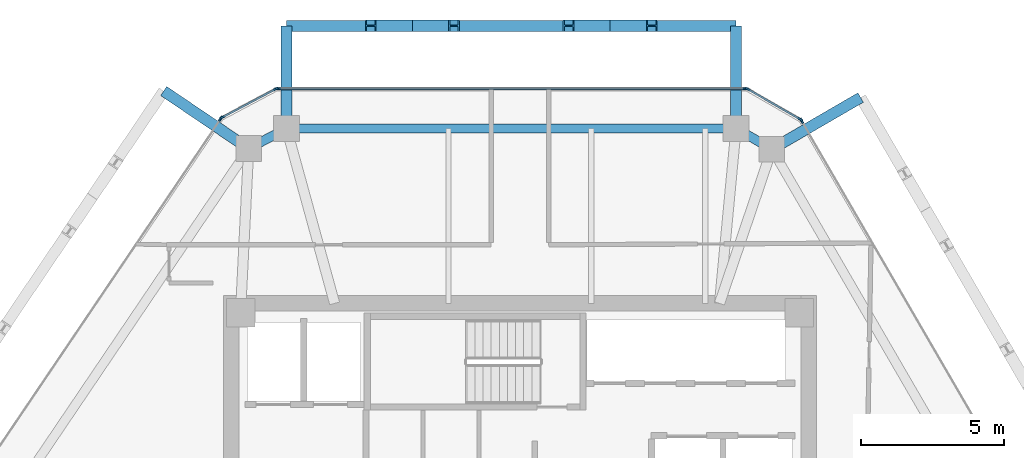
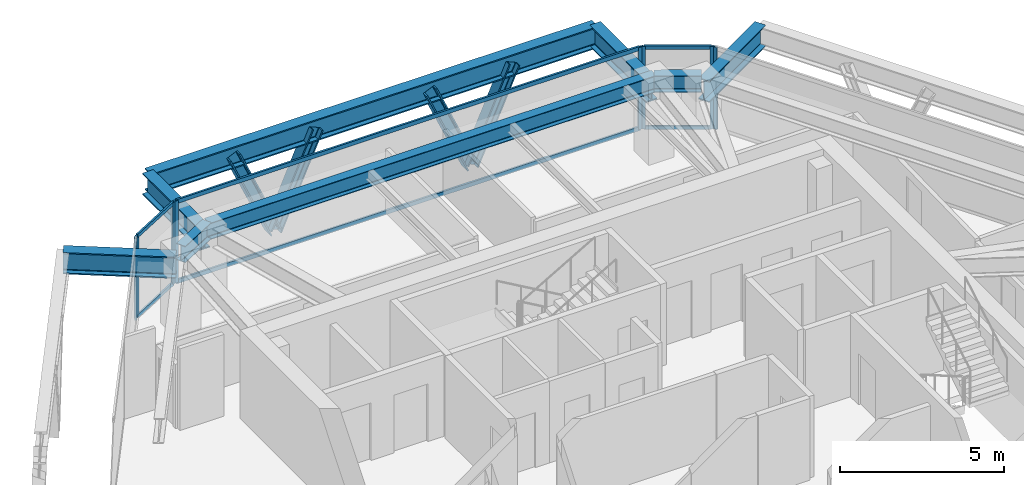
# One storey, part 6 of 11: 18 members, 8 beams, 5 elements without a shape of their own.
"""IFC4 building model written with IfcOpenShell, lengths in metres."""

from ifc_helpers import new_model, si_unit, direction, frame, origin, origin_2d, place, context, subcontext, project, spatial, rectangle, i_section, extrude, source, transform, mapped, material, layer, layer_set, material_profile, profile_set, type_object, type_shapes, element, aggregate, save


model = new_model("IFC4")

# Units and contexts
model_context = context("Model", 3, precision=1e-05, world=origin(), true_north=direction((0.0, 1.0)))
body_context = subcontext(model_context, "Body", "Model", "MODEL_VIEW")
ifc_project = project(units=[si_unit("LENGTHUNIT", "METRE"), si_unit("AREAUNIT", "SQUARE_METRE"), si_unit("VOLUMEUNIT", "CUBIC_METRE"), si_unit("PLANEANGLEUNIT", "RADIAN"), si_unit("MASSUNIT", "GRAM", prefix="KILO")], contexts=[model_context])

# Site, building, storey
site_placement = place(None, origin())
site = spatial("IfcSite", under=ifc_project, at=site_placement, CompositionType="ELEMENT")
building_placement = place(site_placement, origin())
building = spatial("IfcBuilding", under=site, at=building_placement, Name="Durnholm Broadcast Tower", CompositionType="ELEMENT")
storey_placement = place(building_placement, frame((0.0, 0.0, 218.300048828125)))
storey = spatial("IfcBuildingStorey", under=building, at=storey_placement, Name="L60", CompositionType="ELEMENT", Elevation=218.300048828125)

# Beams
ifc_material_1 = material(Name="Steel ASTM A992 Grade 50", Category="steel")
ifc_material_profile_1 = material_profile(ifc_material_1, i_section(OverallWidth=0.385009765625, OverallDepth=0.802978515625, WebThickness=0.023681640625, FlangeThickness=0.0419921875, FilletRadius=0.032958984375, at=origin_2d()), Name="W30X261")
ifc_profile_set_1 = profile_set([ifc_material_profile_1], Name="Steel ASTM A992 Grade 50")
beam_type_1 = type_object("IfcBeamType", Name="BM-EXO-TIE", PredefinedType="USERDEFINED", material=ifc_profile_set_1)
shared_shape_1 = source(origin(), body_context, "Body", "SweptSolid", [
    extrude(i_section(OverallWidth=0.385009765625, OverallDepth=0.802978515625, WebThickness=0.023681640625, FlangeThickness=0.0419921875, FilletRadius=0.032958984375, at=origin_2d()), origin(), (0.0, 0.0, 1.0), 3.4560546875),
])
for number, where, z_axis, x_axis, name in (
    (1, (7.57958984375, 14.406005859375, 2.30859375), (0.0, 1.0, 0.0), (-1.0, 0.0, 0.0), "L60 exoskeleton stand-off tie bracket F4.1"),
    (2, (-8.187744140625, 14.406005859375, 2.30859375), (0.0, 1.0, 0.0), (-1.0, 0.0, 0.0), "L60 exoskeleton stand-off tie bracket F4.2"),
):
    element("IfcBeam", number, at=place(storey_placement, frame(where, z_axis=z_axis, x_axis=x_axis)), inside=storey, type_object=beam_type_1, Name=name, ObjectType="GIRDER", PredefinedType="USERDEFINED", context=body_context, shape_type="MappedRepresentation", body=[
        mapped(shared_shape_1, transform((0.0, 0.0, 0.0), x_axis=(1.0, 0.0, 0.0), y_axis=(0.0, 1.0, 0.0), z_axis=(0.0, 0.0, 1.0), scale=1.0)),
    ])
shared_shape_2 = source(origin(), body_context, "Body", "SweptSolid", [
    extrude(i_section(OverallWidth=0.385009765625, OverallDepth=0.802978515625, WebThickness=0.023681640625, FlangeThickness=0.0419921875, FilletRadius=0.032958984375, at=origin_2d()), origin(), (0.0, 0.0, 1.0), 3.455810546875),
])
for number, where, z_axis, x_axis, name in (
    (3, (8.9619140625, 13.610107421875, 2.30859375), (0.864906682814, 0.501932694715, 0.0), (-0.501932694715, 0.864906682814, 0.0), "L60 exoskeleton stand-off tie bracket F3.2"),
    (4, (-9.63427734375, 13.637939453125, 2.30859375), (-0.828446342252, 0.560068440469, 0.0), (-0.560068440469, -0.828446342252, 0.0), "L60 exoskeleton stand-off tie bracket F5.1"),
):
    element("IfcBeam", number, at=place(storey_placement, frame(where, z_axis=z_axis, x_axis=x_axis)), inside=storey, type_object=beam_type_1, Name=name, ObjectType="GIRDER", PredefinedType="USERDEFINED", context=body_context, shape_type="MappedRepresentation", body=[
        mapped(shared_shape_2, transform((0.0, 0.0, 0.0), x_axis=(1.0, 0.0, 0.0), y_axis=(0.0, 1.0, 0.0), z_axis=(0.0, 0.0, 1.0), scale=1.0)),
    ])
ifc_material_profile_2 = material_profile(ifc_material_1, i_section(OverallWidth=0.3251953125, OverallDepth=0.6162109375, WebThickness=0.013916015625, FlangeThickness=0.021484375, FilletRadius=0.02783203125, at=origin_2d()), Name="W24X117")
ifc_profile_set_2 = profile_set([ifc_material_profile_2], Name="Steel ASTM A992 Grade 50")
beam_type_2 = type_object("IfcBeamType", Name="STL-SP-W24X117", PredefinedType="SPANDREL", material=ifc_profile_set_2)
shared_shape_3 = source(origin(), body_context, "Body", "SweptSolid", [
    extrude(i_section(OverallWidth=0.3251953125, OverallDepth=0.6162109375, WebThickness=0.013916015625, FlangeThickness=0.021484375, FilletRadius=0.02783203125, at=origin_2d()), origin(), (0.0, 0.0, 1.0), 1.502685546875),
])
beam_1_placement = place(storey_placement, frame((-9.514892578125, 13.557373046875, 2.73681640625), z_axis=(0.883241909673, 0.468917614296, 0.0), x_axis=(-0.468917614296, 0.883241909673, 0.0)))
element("IfcBeam", 5, at=beam_1_placement, inside=storey, type_object=beam_type_2, Name="L60 perimeter spandrel girder 04", PredefinedType="SPANDREL", context=body_context, shape_type="MappedRepresentation", body=[
    mapped(shared_shape_3, transform((0.0, 0.0, 0.0), x_axis=(1.0, 0.0, 0.0), y_axis=(0.0, 1.0, 0.0), z_axis=(0.0, 0.0, 1.0), scale=1.0)),
])
shared_shape_4 = source(origin(), body_context, "Body", "SweptSolid", [
    extrude(i_section(OverallWidth=0.3251953125, OverallDepth=0.6162109375, WebThickness=0.013916015625, FlangeThickness=0.021484375, FilletRadius=0.02783203125, at=origin_2d()), origin(), (0.0, 0.0, 1.0), 15.767333984375),
])
beam_2_placement = place(storey_placement, frame((-8.187744140625, 14.261962890625, 2.73681640625), z_axis=(1.0, 0.0, 0.0), x_axis=(0.0, 1.0, 0.0)))
element("IfcBeam", 6, at=beam_2_placement, inside=storey, type_object=beam_type_2, Name="L60 perimeter spandrel girder 05", PredefinedType="SPANDREL", context=body_context, shape_type="MappedRepresentation", body=[
    mapped(shared_shape_4, transform((0.0, 0.0, 0.0), x_axis=(1.0, 0.0, 0.0), y_axis=(0.0, 1.0, 0.0), z_axis=(0.0, 0.0, 1.0), scale=1.0)),
])
shared_shape_5 = source(origin(), body_context, "Body", "SweptSolid", [
    extrude(i_section(OverallWidth=0.3251953125, OverallDepth=0.6162109375, WebThickness=0.013916015625, FlangeThickness=0.021484375, FilletRadius=0.02783203125, at=origin_2d()), origin(), (0.0, 0.0, 1.0), 1.451416015625),
])
type_shapes(beam_type_2, [shared_shape_3, shared_shape_4, shared_shape_5])
beam_3_placement = place(storey_placement, frame((7.57958984375, 14.261962890625, 2.73681640625), z_axis=(0.866571760088, -0.499052486836, 0.0), x_axis=(0.499052486836, 0.866571760088, 0.0)))
element("IfcBeam", 7, at=beam_3_placement, inside=storey, type_object=beam_type_2, Name="L60 perimeter spandrel girder 06", PredefinedType="SPANDREL", context=body_context, shape_type="MappedRepresentation", body=[
    mapped(shared_shape_5, transform((0.0, 0.0, 0.0), x_axis=(1.0, 0.0, 0.0), y_axis=(0.0, 1.0, 0.0), z_axis=(0.0, 0.0, 1.0), scale=1.0)),
])
shared_shape_6 = source(origin(), body_context, "Body", "SweptSolid", [
    extrude(i_section(OverallWidth=0.385009765625, OverallDepth=0.802978515625, WebThickness=0.023681640625, FlangeThickness=0.0419921875, FilletRadius=0.032958984375, at=origin_2d()), origin(), (0.0, 0.0, 1.0), 15.767333984375),
])
type_shapes(beam_type_1, [shared_shape_1, shared_shape_2, shared_shape_6])
beam_4_placement = place(storey_placement, frame((7.57958984375, 17.862060546875, 2.30859375), z_axis=(-1.0, 0.0, 0.0), x_axis=(0.0, -1.0, 0.0)))
element("IfcBeam", 8, at=beam_4_placement, inside=storey, type_object=beam_type_1, Name="L60 exoskeleton collector spandrel F4", PredefinedType="SPANDREL", context=body_context, shape_type="MappedRepresentation", body=[
    mapped(shared_shape_6, transform((0.0, 0.0, 0.0), x_axis=(1.0, 0.0, 0.0), y_axis=(0.0, 1.0, 0.0), z_axis=(0.0, 0.0, 1.0), scale=1.0)),
])

# Members
ifc_material_2 = material(Name="Steel ASTM A913 Grade 65", Category="steel")
ifc_material_profile_3 = material_profile(ifc_material_2, i_section(OverallWidth=0.40625, OverallDepth=0.416015625, WebThickness=0.02978515625, FlangeThickness=0.048095703125, FilletRadius=0.030517578125, at=origin_2d()), Name="W14X257")
ifc_profile_set_3 = profile_set([ifc_material_profile_3], Name="Steel ASTM A913 Grade 65")
member_type_1 = type_object("IfcMemberType", Name="STL-DG-W14X257", PredefinedType="BRACE", material=ifc_profile_set_3)
shared_shape_7 = source(origin(), body_context, "Body", "SweptSolid", [
    extrude(i_section(OverallWidth=0.40625, OverallDepth=0.416015625, WebThickness=0.02978515625, FlangeThickness=0.048095703125, FilletRadius=0.030517578125, at=origin_2d()), origin(), (0.0, 0.0, 1.0), 3.60791015625),
])
for number, where, z_axis, x_axis, name in (
    (9, (3.164794921875, 17.862060546875, -0.991455078125), (0.404184914295, 0.0, 0.914677295584), (0.0, 1.0, 0.0), "L60 stand-off diagrid brace F4.D1.1"),
    (10, (3.164794921875, 17.862060546875, -0.991455078125), (-0.404184914295, 0.0, 0.914677295584), (0.0, -1.0, 0.0), "L60 stand-off diagrid brace F4.D1.2"),
    (11, (-3.772705078125, 17.862060546875, -0.991455078125), (-0.404184914295, 0.0, 0.914677295584), (0.0, -1.0, 0.0), "L60 stand-off diagrid brace F4.D2.2"),
):
    element("IfcMember", number, at=place(storey_placement, frame(where, z_axis=z_axis, x_axis=x_axis)), inside=storey, type_object=member_type_1, Name=name, PredefinedType="BRACE", context=body_context, shape_type="MappedRepresentation", body=[
        mapped(shared_shape_7, transform((0.0, 0.0, 0.0), x_axis=(1.0, 0.0, 0.0), y_axis=(0.0, 1.0, 0.0), z_axis=(0.0, 0.0, 1.0), scale=1.0)),
    ])
shared_shape_8 = source(origin(), body_context, "Body", "SweptSolid", [
    extrude(i_section(OverallWidth=0.40625, OverallDepth=0.416015625, WebThickness=0.02978515625, FlangeThickness=0.048095703125, FilletRadius=0.030517578125, at=origin_2d()), origin(), (0.0, 0.0, 1.0), 3.607666015625),
])
type_shapes(member_type_1, [shared_shape_7, shared_shape_8])
member_1_placement = place(storey_placement, frame((-3.772705078125, 17.862060546875, -0.991455078125), z_axis=(0.404128298032, 0.0, 0.914702311536), x_axis=(0.0, 1.0, 0.0)))
element("IfcMember", 12, at=member_1_placement, inside=storey, type_object=member_type_1, Name="L60 stand-off diagrid brace F4.D2.1", PredefinedType="BRACE", context=body_context, shape_type="MappedRepresentation", body=[
    mapped(shared_shape_8, transform((0.0, 0.0, 0.0), x_axis=(1.0, 0.0, 0.0), y_axis=(0.0, 1.0, 0.0), z_axis=(0.0, 0.0, 1.0), scale=1.0)),
])

# Curtain wall, members
ifc_material_3 = material(Name="Aluminium and Solar Control IGU", Category="aluminium")
ifc_layer_1 = layer(ifc_material_3, 0.1650390625)
ifc_layer_set_1 = layer_set([ifc_layer_1], Name="Aluminium and Solar Control IGU")
curtain_wall_type_1 = type_object("IfcCurtainWallType", Name="CW-SYS-5", PredefinedType="NOTDEFINED", material=ifc_layer_set_1)
curtain_wall_1_placement = place(storey_placement, origin())
curtain_wall_1 = element("IfcCurtainWall", 13, at=curtain_wall_1_placement, inside=storey, type_object=curtain_wall_type_1, Name="L60 curtain wall CW-CORNER CW-L60-CRN-03", PredefinedType="NOTDEFINED")
ifc_material_4 = material(Name="Aluminium 6063-T6", Category="aluminium")
ifc_material_profile_4 = material_profile(ifc_material_4, rectangle(XDim=0.06494140625, YDim=0.1298828125, at=origin_2d()), Name="CWT65X130")
ifc_profile_set_4 = profile_set([ifc_material_profile_4], Name="Aluminium 6063-T6")
member_type_2 = type_object("IfcMemberType", Name="CW-SYS-5-TRN", PredefinedType="USERDEFINED", material=ifc_profile_set_4)
shared_shape_9 = source(origin(), body_context, "Body", "SweptSolid", [
    extrude(rectangle(XDim=0.06494140625, YDim=0.1298828125, at=origin_2d()), origin(), (0.0, 0.0, 1.0), 2.070068359375),
])
type_shapes(member_type_2, [shared_shape_9])
member_2_placement = place(storey_placement, frame((-10.421875, 14.66064453125, 0.032470703125), z_axis=(0.883164581026, 0.469063239682, 0.0), x_axis=(-0.469063239682, 0.883164581026, 0.0)))
member_2 = element("IfcMember", 14, at=member_2_placement, type_object=member_type_2, Name="CW-CORNER transom 1.1", ObjectType="TRANSOM", PredefinedType="USERDEFINED", context=body_context, shape_type="MappedRepresentation", body=[
    mapped(shared_shape_9, transform((0.0, 0.0, 0.0), x_axis=(1.0, 0.0, 0.0), y_axis=(0.0, 1.0, 0.0), z_axis=(0.0, 0.0, 1.0), scale=1.0)),
])
member_3_placement = place(storey_placement, frame((-10.421875, 14.66064453125, 3.02734375), z_axis=(0.883164581026, 0.469063239682, 0.0), x_axis=(-0.469063239682, 0.883164581026, 0.0)))
member_3 = element("IfcMember", 15, at=member_3_placement, type_object=member_type_2, Name="CW-CORNER transom 1.2", ObjectType="TRANSOM", PredefinedType="USERDEFINED", context=body_context, shape_type="MappedRepresentation", body=[
    mapped(shared_shape_9, transform((0.0, 0.0, 0.0), x_axis=(1.0, 0.0, 0.0), y_axis=(0.0, 1.0, 0.0), z_axis=(0.0, 0.0, 1.0), scale=1.0)),
])

curtain_wall_2_placement = place(storey_placement, origin())
curtain_wall_2 = element("IfcCurtainWall", 16, at=curtain_wall_2_placement, inside=storey, type_object=curtain_wall_type_1, Name="L60 curtain wall CW-CORNER CW-L60-CRN-05", PredefinedType="NOTDEFINED")
member_4_placement = place(storey_placement, frame((8.01025390625, 15.629638671875, 0.032470703125), z_axis=(0.866525076636, -0.499133540809, 0.0), x_axis=(0.499133540809, 0.866525076636, 0.0)))
member_4 = element("IfcMember", 17, at=member_4_placement, type_object=member_type_2, Name="CW-CORNER transom 1.1", ObjectType="TRANSOM", PredefinedType="USERDEFINED", context=body_context, shape_type="MappedRepresentation", body=[
    mapped(shared_shape_9, transform((0.0, 0.0, 0.0), x_axis=(1.0, 0.0, 0.0), y_axis=(0.0, 1.0, 0.0), z_axis=(0.0, 0.0, 1.0), scale=1.0)),
])
member_5_placement = place(storey_placement, frame((8.01025390625, 15.629638671875, 3.02734375), z_axis=(0.866525076636, -0.499133540809, 0.0), x_axis=(0.499133540809, 0.866525076636, 0.0)))
member_5 = element("IfcMember", 18, at=member_5_placement, type_object=member_type_2, Name="CW-CORNER transom 1.2", ObjectType="TRANSOM", PredefinedType="USERDEFINED", context=body_context, shape_type="MappedRepresentation", body=[
    mapped(shared_shape_9, transform((0.0, 0.0, 0.0), x_axis=(1.0, 0.0, 0.0), y_axis=(0.0, 1.0, 0.0), z_axis=(0.0, 0.0, 1.0), scale=1.0)),
])

# Member
ifc_material_profile_5 = material_profile(ifc_material_4, rectangle(XDim=0.06494140625, YDim=0.1650390625, at=origin_2d()), Name="CWM65X165")
ifc_profile_set_5 = profile_set([ifc_material_profile_5], Name="Aluminium 6063-T6")
member_type_3 = type_object("IfcMemberType", Name="CW-SYS-5-MUL", PredefinedType="MULLION", material=ifc_profile_set_5)
shared_shape_10 = source(origin(), body_context, "Body", "SweptSolid", [
    extrude(rectangle(XDim=0.06494140625, YDim=0.1650390625, at=origin_2d()), origin(), (0.0, 0.0, 1.0), 3.06005859375),
])
type_shapes(member_type_3, [shared_shape_10])
member_6_placement = place(storey_placement, frame((-10.45068359375, 14.6455078125, 0.0), z_axis=(0.0, 0.0, 1.0), x_axis=(-0.469006771575, 0.883194569853, 0.0)))
member_6 = element("IfcMember", 19, at=member_6_placement, type_object=member_type_3, Name="CW-CORNER mullion 1", PredefinedType="MULLION", context=body_context, shape_type="MappedRepresentation", body=[
    mapped(shared_shape_10, transform((0.0, 0.0, 0.0), x_axis=(1.0, 0.0, 0.0), y_axis=(0.0, 1.0, 0.0), z_axis=(0.0, 0.0, 1.0), scale=1.0)),
])

member_7_placement = place(storey_placement, frame((-8.565185546875, 15.646728515625, 0.0), z_axis=(0.0, 0.0, 1.0), x_axis=(-0.469006771575, 0.883194569853, 0.0)))
member_7 = element("IfcMember", 20, at=member_7_placement, type_object=member_type_3, Name="CW-CORNER mullion 2", PredefinedType="MULLION", context=body_context, shape_type="MappedRepresentation", body=[
    mapped(shared_shape_10, transform((0.0, 0.0, 0.0), x_axis=(1.0, 0.0, 0.0), y_axis=(0.0, 1.0, 0.0), z_axis=(0.0, 0.0, 1.0), scale=1.0)),
])

aggregate(curtain_wall_1, [member_6, member_7, member_2, member_3])

member_8_placement = place(storey_placement, frame((7.982177734375, 15.645751953125, 0.0), z_axis=(0.0, 0.0, 1.0), x_axis=(0.499058582333, 0.866568249707, 0.0)))
member_8 = element("IfcMember", 21, at=member_8_placement, type_object=member_type_3, Name="CW-CORNER mullion 1", PredefinedType="MULLION", context=body_context, shape_type="MappedRepresentation", body=[
    mapped(shared_shape_10, transform((0.0, 0.0, 0.0), x_axis=(1.0, 0.0, 0.0), y_axis=(0.0, 1.0, 0.0), z_axis=(0.0, 0.0, 1.0), scale=1.0)),
])

member_9_placement = place(storey_placement, frame((9.832275390625, 14.580322265625, 0.0), z_axis=(0.0, 0.0, 1.0), x_axis=(0.499058582333, 0.866568249707, 0.0)))
member_9 = element("IfcMember", 22, at=member_9_placement, type_object=member_type_3, Name="CW-CORNER mullion 2", PredefinedType="MULLION", context=body_context, shape_type="MappedRepresentation", body=[
    mapped(shared_shape_10, transform((0.0, 0.0, 0.0), x_axis=(1.0, 0.0, 0.0), y_axis=(0.0, 1.0, 0.0), z_axis=(0.0, 0.0, 1.0), scale=1.0)),
])

aggregate(curtain_wall_2, [member_8, member_9, member_4, member_5])

# Curtain wall, member
ifc_layer_2 = layer(ifc_material_3, 0.18994140625)
ifc_layer_set_2 = layer_set([ifc_layer_2], Name="Aluminium and Solar Control IGU")
curtain_wall_type_2 = type_object("IfcCurtainWallType", Name="CW-SYS-4", PredefinedType="NOTDEFINED", material=ifc_layer_set_2)
curtain_wall_3_placement = place(storey_placement, origin())
curtain_wall_3 = element("IfcCurtainWall", 23, at=curtain_wall_3_placement, inside=storey, type_object=curtain_wall_type_2, Name="L60 curtain wall CW-Z34-VIS CW-L60-F02", PredefinedType="NOTDEFINED")
ifc_material_profile_6 = material_profile(ifc_material_4, rectangle(XDim=0.070068359375, YDim=0.18994140625, at=origin_2d()), Name="CWM70X190")
ifc_profile_set_6 = profile_set([ifc_material_profile_6], Name="Aluminium 6063-T6")
member_type_4 = type_object("IfcMemberType", Name="CW-SYS-4-MUL", PredefinedType="MULLION", material=ifc_profile_set_6)
shared_shape_11 = source(origin(), body_context, "Body", "SweptSolid", [
    extrude(rectangle(XDim=0.070068359375, YDim=0.18994140625, at=origin_2d()), origin(), (0.0, 0.0, 1.0), 3.06005859375),
])
type_shapes(member_type_4, [shared_shape_11])
member_10_placement = place(storey_placement, frame((-10.4990234375, 14.601318359375, 0.0), z_axis=(0.0, 0.0, 1.0), x_axis=(-0.828443431662, 0.560072745753, 0.0)))
member_10 = element("IfcMember", 24, at=member_10_placement, type_object=member_type_4, Name="CW-Z34-VIS mullion 2", PredefinedType="MULLION", context=body_context, shape_type="MappedRepresentation", body=[
    mapped(shared_shape_11, transform((0.0, 0.0, 0.0), x_axis=(1.0, 0.0, 0.0), y_axis=(0.0, 1.0, 0.0), z_axis=(0.0, 0.0, 1.0), scale=1.0)),
])
aggregate(curtain_wall_3, [member_10])

# Curtain wall, members
curtain_wall_4_placement = place(storey_placement, origin())
curtain_wall_4 = element("IfcCurtainWall", 25, at=curtain_wall_4_placement, inside=storey, type_object=curtain_wall_type_2, Name="L60 curtain wall CW-Z34-VIS CW-L60-F04", PredefinedType="NOTDEFINED")
member_11_placement = place(storey_placement, frame((-8.50146484375, 15.662109375, 0.0), z_axis=(0.0, 0.0, 1.0), x_axis=(0.0, 1.0, 0.0)))
member_11 = element("IfcMember", 26, at=member_11_placement, type_object=member_type_4, Name="CW-Z34-VIS mullion 1", PredefinedType="MULLION", context=body_context, shape_type="MappedRepresentation", body=[
    mapped(shared_shape_11, transform((0.0, 0.0, 0.0), x_axis=(1.0, 0.0, 0.0), y_axis=(0.0, 1.0, 0.0), z_axis=(0.0, 0.0, 1.0), scale=1.0)),
])
member_12_placement = place(storey_placement, frame((7.9189453125, 15.662109375, 0.0), z_axis=(0.0, 0.0, 1.0), x_axis=(0.0, 1.0, 0.0)))
member_12 = element("IfcMember", 27, at=member_12_placement, type_object=member_type_4, Name="CW-Z34-VIS mullion 2", PredefinedType="MULLION", context=body_context, shape_type="MappedRepresentation", body=[
    mapped(shared_shape_11, transform((0.0, 0.0, 0.0), x_axis=(1.0, 0.0, 0.0), y_axis=(0.0, 1.0, 0.0), z_axis=(0.0, 0.0, 1.0), scale=1.0)),
])

# Curtain wall, member
curtain_wall_5_placement = place(storey_placement, origin())
curtain_wall_5 = element("IfcCurtainWall", 28, at=curtain_wall_5_placement, inside=storey, type_object=curtain_wall_type_2, Name="L60 curtain wall CW-Z34-VIS CW-L60-F06", PredefinedType="NOTDEFINED")
member_13_placement = place(storey_placement, frame((9.8779296875, 14.533935546875, 0.0), z_axis=(0.0, 0.0, 1.0), x_axis=(0.864899883824, 0.50194441023, 0.0)))
member_13 = element("IfcMember", 29, at=member_13_placement, type_object=member_type_4, Name="CW-Z34-VIS mullion 1", PredefinedType="MULLION", context=body_context, shape_type="MappedRepresentation", body=[
    mapped(shared_shape_11, transform((0.0, 0.0, 0.0), x_axis=(1.0, 0.0, 0.0), y_axis=(0.0, 1.0, 0.0), z_axis=(0.0, 0.0, 1.0), scale=1.0)),
])
aggregate(curtain_wall_5, [member_13])

# Member
ifc_material_profile_7 = material_profile(ifc_material_4, rectangle(XDim=0.070068359375, YDim=0.14990234375, at=origin_2d()), Name="CWT70X150")
ifc_profile_set_7 = profile_set([ifc_material_profile_7], Name="Aluminium 6063-T6")
member_type_5 = type_object("IfcMemberType", Name="CW-SYS-4-TRN", PredefinedType="USERDEFINED", material=ifc_profile_set_7)
shared_shape_12 = source(origin(), body_context, "Body", "SweptSolid", [
    extrude(rectangle(XDim=0.070068359375, YDim=0.14990234375, at=origin_2d()), origin(), (0.0, 0.0, 1.0), 16.350341796875),
])
type_shapes(member_type_5, [shared_shape_12])
member_14_placement = place(storey_placement, frame((-8.46630859375, 15.662109375, 0.034912109375), z_axis=(1.0, 0.0, 0.0), x_axis=(0.0, 1.0, 0.0)))
member_14 = element("IfcMember", 30, at=member_14_placement, type_object=member_type_5, Name="CW-Z34-VIS transom 1.1", ObjectType="TRANSOM", PredefinedType="USERDEFINED", context=body_context, shape_type="MappedRepresentation", body=[
    mapped(shared_shape_12, transform((0.0, 0.0, 0.0), x_axis=(1.0, 0.0, 0.0), y_axis=(0.0, 1.0, 0.0), z_axis=(0.0, 0.0, 1.0), scale=1.0)),
])

member_15_placement = place(storey_placement, frame((-8.46630859375, 15.662109375, 3.02490234375), z_axis=(1.0, 0.0, 0.0), x_axis=(0.0, 1.0, 0.0)))
member_15 = element("IfcMember", 31, at=member_15_placement, type_object=member_type_5, Name="CW-Z34-VIS transom 1.2", ObjectType="TRANSOM", PredefinedType="USERDEFINED", context=body_context, shape_type="MappedRepresentation", body=[
    mapped(shared_shape_12, transform((0.0, 0.0, 0.0), x_axis=(1.0, 0.0, 0.0), y_axis=(0.0, 1.0, 0.0), z_axis=(0.0, 0.0, 1.0), scale=1.0)),
])

aggregate(curtain_wall_4, [member_11, member_12, member_14, member_15])

save(model, "model.ifc")
